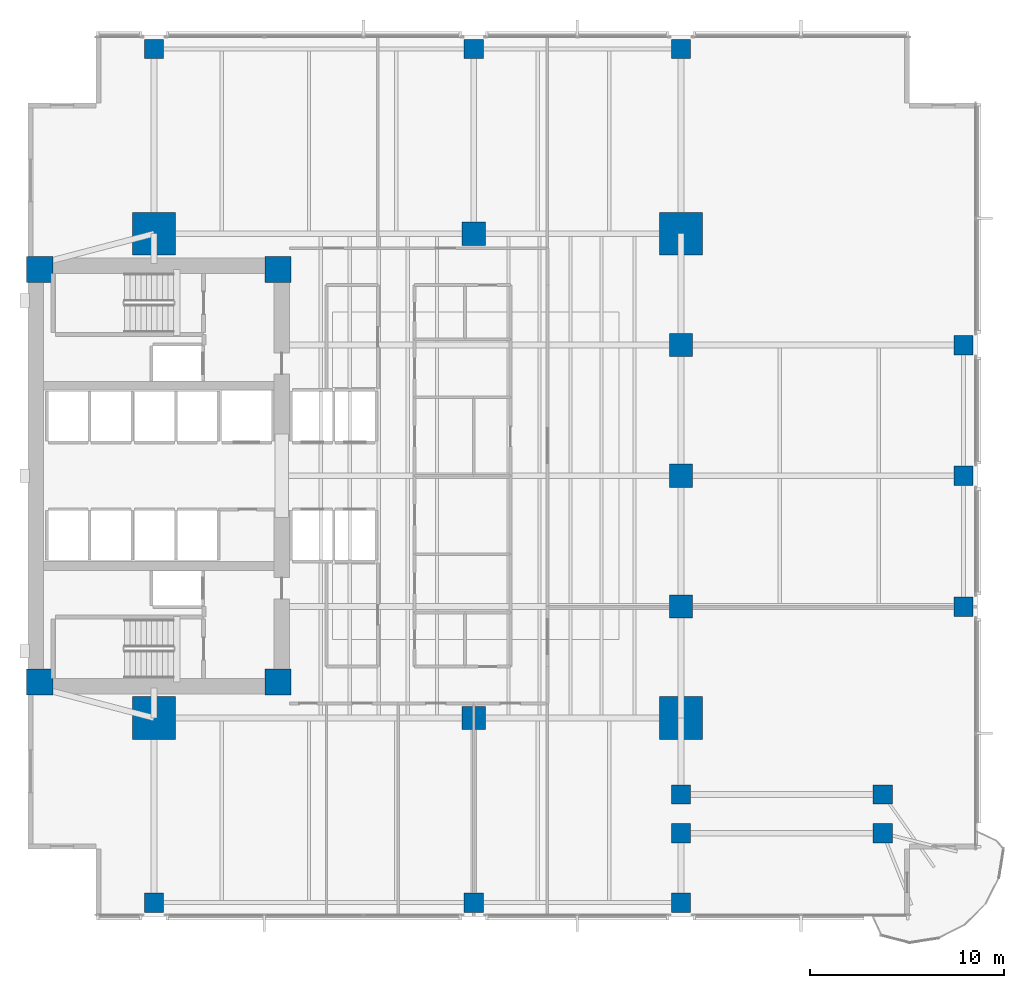
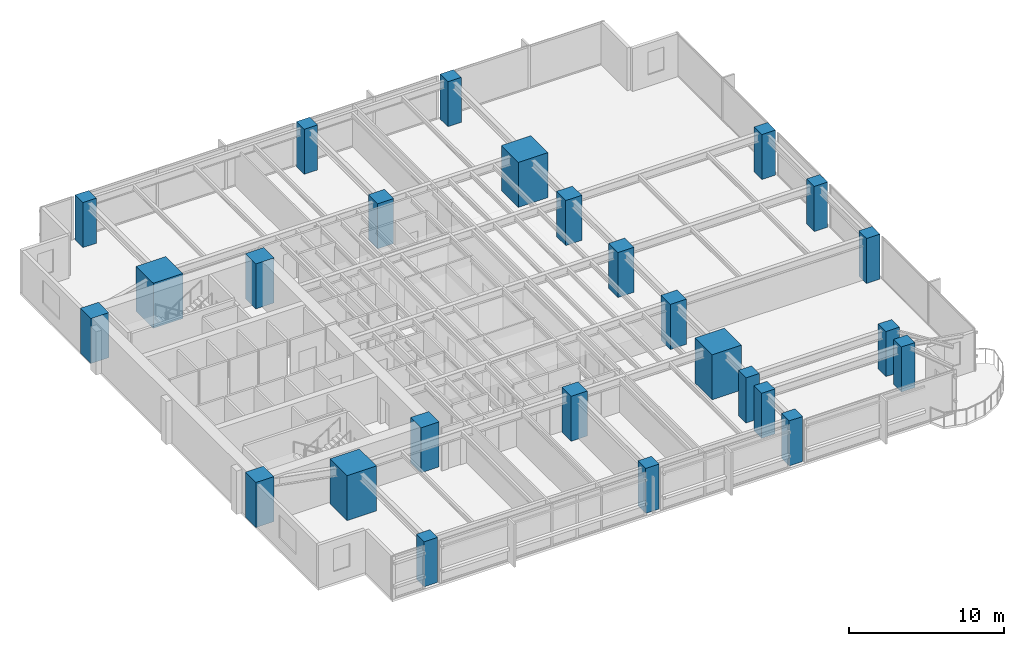
# One storey, part 1 of 15: 26 columns.
"""IFC4 building model written with IfcOpenShell, lengths in metres."""

import ifcopenshell
import ifcopenshell.guid

model = None  # the IFC model being written
_history = None  # IfcOwnerHistory: only IFC2X3 demands one
_inside = {}  # id of a spatial element -> (the spatial element, [elements in it])
_under = {}  # id of a project, library or spatial element -> (it, [spatial elements below it])
_declared = {}  # id of a project -> (the project, [libraries it declares])
_typed = {}  # id of a type object -> (the type object, [elements of that type])
_made_of = {}  # id of a material, layer set ... -> (it, [elements and type objects made of it])


def new_model(schema):
    """Start an empty IFC model of exactly this schema.

    Asked for "IFC4X3", IfcOpenShell would pick the latest addendum, in which some entities
    have other attributes; the version numbers below select the first issue.
    IFC2X3 requires an IfcOwnerHistory on every rooted entity: one is made here for all.
    """
    global model, _history
    if schema == "IFC4X3":
        model = ifcopenshell.file(schema_version=(4, 3, 0, 0))
    else:
        model = ifcopenshell.file(schema=schema)
    _inside.clear()
    _under.clear()
    _declared.clear()
    _typed.clear()
    _made_of.clear()
    _history = None
    if model.schema == "IFC2X3":
        org = make("IfcOrganization", Name="unknown")
        user = make(
            "IfcPersonAndOrganization",
            ThePerson=make("IfcPerson", FamilyName="unknown"),
            TheOrganization=org,
        )
        app = make(
            "IfcApplication",
            ApplicationDeveloper=org,
            Version="unknown",
            ApplicationFullName="unknown",
            ApplicationIdentifier="unknown",
        )
        _history = make(
            "IfcOwnerHistory",
            OwningUser=user,
            OwningApplication=app,
            ChangeAction="ADDED",
            CreationDate=0,
        )
    return model


def make(cls, **values):
    """One entity of the class cls with the attributes given. An attribute that is None is left unset."""
    return model.create_entity(
        cls, **{name: value for name, value in values.items() if value is not None}
    )


def rooted(cls, **values):
    """An entity with a GlobalId (a new one), such as an element, a storey or a relation."""
    return make(cls, GlobalId=ifcopenshell.guid.new(), OwnerHistory=_history, **values)


def si_unit(unit_type, name, prefix=None):
    """IfcSIUnit, for example si_unit("LENGTHUNIT", "METRE", prefix="MILLI")."""
    return make("IfcSIUnit", UnitType=unit_type, Prefix=prefix, Name=name)


def assignment(units):
    """IfcUnitAssignment: the units of a project."""
    return None if units is None else make("IfcUnitAssignment", Units=units)


def point(xyz):
    """IfcCartesianPoint."""
    return None if xyz is None else make("IfcCartesianPoint", Coordinates=xyz)


def direction(xyz):
    """IfcDirection."""
    return None if xyz is None else make("IfcDirection", DirectionRatios=xyz)


def frame(location, z_axis=None, x_axis=None):
    """IfcAxis2Placement3D, a coordinate frame: its origin and axes. An axis left out is left unset."""
    return make(
        "IfcAxis2Placement3D",
        Location=point(location),
        Axis=direction(z_axis),
        RefDirection=direction(x_axis),
    )


def frame_2d(location, x_axis=None):
    """IfcAxis2Placement2D, a coordinate frame in the plane: its origin and x axis."""
    return make(
        "IfcAxis2Placement2D", Location=point(location), RefDirection=direction(x_axis)
    )


def origin():
    """The frame at (0, 0, 0) with its axes left unset."""
    return frame((0.0, 0.0, 0.0))


def origin_2d():
    """The frame at (0, 0) in the plane with its x axis left unset."""
    return frame_2d((0.0, 0.0))


def place(relative_to, where):
    """IfcLocalPlacement: puts the frame where relative to a parent placement (None: the world)."""
    return make(
        "IfcLocalPlacement", PlacementRelTo=relative_to, RelativePlacement=where
    )


def context(
    kind, dimensions, precision=None, world=None, true_north=None, identifier=None
):
    """IfcGeometricRepresentationContext, for example the 3D "Model" context."""
    return make(
        "IfcGeometricRepresentationContext",
        ContextIdentifier=identifier,
        ContextType=kind,
        CoordinateSpaceDimension=dimensions,
        Precision=precision,
        WorldCoordinateSystem=world,
        TrueNorth=true_north,
    )


def subcontext(parent, identifier, kind, view, scale=None):
    """IfcGeometricRepresentationSubContext, for example "Body" below "Model"."""
    return make(
        "IfcGeometricRepresentationSubContext",
        ContextIdentifier=identifier,
        ContextType=kind,
        ParentContext=parent,
        TargetScale=scale,
        TargetView=view,
    )


def project(units=None, contexts=None):
    """IfcProject with its units and contexts."""
    return rooted(
        "IfcProject",
        Name="project",
        RepresentationContexts=contexts,
        UnitsInContext=assignment(units),
    )


def spatial(cls, under=None, at=None, **own):
    """A site, building, storey or space (cls), placed at a placement, below another one or the project."""
    s = rooted(cls, ObjectPlacement=at, **own)
    if under is not None:
        _under.setdefault(under.id(), (under, []))[1].append(s)
    return s


def profile(cls, at=None, kind="AREA", **sizes):
    """A parametric profile (cls). Its sizes go by their IFC names, for example OverallWidth=200.0."""
    return make(cls, ProfileType=kind, Position=at, **sizes)


def rectangle(**sizes):
    """IfcRectangleProfileDef."""
    return profile("IfcRectangleProfileDef", **sizes)


def extrude(swept, where, along, depth):
    """IfcExtrudedAreaSolid: the profile swept, set in the frame where, extruded along a direction by depth."""
    return make(
        "IfcExtrudedAreaSolid",
        SweptArea=swept,
        Position=where,
        ExtrudedDirection=direction(along),
        Depth=depth,
    )


def shape(context_of_items, identifier, shape_type, items):
    """IfcShapeRepresentation: the items that make up one representation, for example the "Body"."""
    return make(
        "IfcShapeRepresentation",
        ContextOfItems=context_of_items,
        RepresentationIdentifier=identifier,
        RepresentationType=shape_type,
        Items=items,
    )


def material(Name=None, Category=None):
    """IfcMaterial."""
    return make("IfcMaterial", Name=Name, Category=Category)


def material_profile(
    of_material, cross_section, Name=None, Category=None, Priority=None
):
    """IfcMaterialProfile: a cross section and its material."""
    return make(
        "IfcMaterialProfile",
        Name=Name,
        Material=of_material,
        Profile=cross_section,
        Priority=Priority,
        Category=Category,
    )


def profile_set(profiles, Name=None, composite=None):
    """IfcMaterialProfileSet."""
    return make(
        "IfcMaterialProfileSet",
        Name=Name,
        MaterialProfiles=profiles,
        CompositeProfile=composite,
    )


def made_of(thing, what):
    """Note that an element or type object is made of a material, layer set ...; save() writes the relation."""
    if what is not None:
        _made_of.setdefault(what.id(), (what, []))[1].append(thing)
    return thing


def type_object(cls, material=None, **own):
    """A type object (cls), such as IfcWallType, which elements share."""
    return made_of(rooted(cls, **own), material)


def element(
    cls,
    number,
    at=None,
    inside=None,
    cuts=None,
    type_object=None,
    material=None,
    context=None,
    identifier="Body",
    shape_type=None,
    held_by="IfcProductDefinitionShape",
    body=None,
    shapes=None,
    **own,
):
    """One element of the class cls, such as IfcWall. Its Tag is "e" and its number.

    at: its placement. inside: the storey or other place that contains it. cuts: it is an
    opening in that element (IfcRelVoidsElement). A single representation is given by context,
    identifier, shape_type and body (its items); several are given by shapes. held_by: the class
    of the entity that holds the representations. save() writes the other relations.
    """
    e = rooted(cls, Tag="e%d" % number, ObjectPlacement=at, **own)
    if body is not None:
        shapes = [shape(context, identifier, shape_type, body)]
    if shapes is not None:
        e.Representation = make(held_by, Representations=shapes)
    if inside is not None:
        _inside.setdefault(inside.id(), (inside, []))[1].append(e)
    if cuts is not None:
        rooted(
            "IfcRelVoidsElement", RelatingBuildingElement=cuts, RelatedOpeningElement=e
        )
    if type_object is not None:
        _typed.setdefault(type_object.id(), (type_object, []))[1].append(e)
    return made_of(e, material)


def aggregate(whole, parts):
    """IfcRelAggregates: a whole, such as a stair, and the parts it consists of."""
    return rooted("IfcRelAggregates", RelatingObject=whole, RelatedObjects=parts)


def save(model, path):
    """Write the relations noted so far, then the file.

    IfcRelAggregates (storeys below a building ...), IfcRelContainedInSpatialStructure (elements
    in a storey), IfcRelDefinesByType, IfcRelAssociatesMaterial and IfcRelDeclares: one each for
    every whole, place, type object, material and project.
    """
    for whole, parts in _under.values():
        aggregate(whole, parts)
    for where, things in _inside.values():
        rooted(
            "IfcRelContainedInSpatialStructure",
            RelatedElements=things,
            RelatingStructure=where,
        )
    for kind, things in _typed.values():
        rooted("IfcRelDefinesByType", RelatedObjects=things, RelatingType=kind)
    for what, things in _made_of.values():
        rooted("IfcRelAssociatesMaterial", RelatedObjects=things, RelatingMaterial=what)
    for by, libraries in _declared.values():
        rooted("IfcRelDeclares", RelatingContext=by, RelatedDefinitions=libraries)
    model.write(path)


model = new_model("IFC4")

# Units and contexts
model_context = context("Model", 3, precision=1e-05, world=origin(), true_north=direction((0.0, 1.0)))
body_context = subcontext(model_context, "Body", "Model", "MODEL_VIEW")
ifc_project = project(units=[si_unit("LENGTHUNIT", "METRE"), si_unit("AREAUNIT", "SQUARE_METRE"), si_unit("VOLUMEUNIT", "CUBIC_METRE"), si_unit("PLANEANGLEUNIT", "RADIAN"), si_unit("MASSUNIT", "GRAM", prefix="KILO")], contexts=[model_context])

# Site, building, storey
site_placement = place(None, origin())
site = spatial("IfcSite", under=ifc_project, at=site_placement, CompositionType="ELEMENT")
building_placement = place(site_placement, origin())
building = spatial("IfcBuilding", under=site, at=building_placement, Name="Kinhvarn Gate Tower", CompositionType="ELEMENT")
storey_placement = place(building_placement, frame((0.0, 0.0, 85.949951171875)))
storey = spatial("IfcBuildingStorey", under=building, at=storey_placement, Name="L22", CompositionType="ELEMENT", Elevation=85.949951171875)

# Columns
ifc_material_1 = material(Name="Concrete C70/85", Category="concrete")
ifc_material_profile_1 = material_profile(ifc_material_1, rectangle(XDim=2.199951171875, YDim=2.199951171875, at=origin_2d()), Name="RC 2200x2200")
ifc_profile_set_1 = profile_set([ifc_material_profile_1], Name="Concrete C70/85")
column_type_1 = type_object("IfcColumnType", Name="COL-MC-2200", PredefinedType="COLUMN", material=ifc_profile_set_1)
for number, where, z_axis, x_axis, name in (
    (1, (11.0, 12.75, 0.0), (0.0, 0.0, 1.0), (1.0, 0.0, 0.0), "Column MC1-L22 (MC-22)"),
    (2, (11.0, 37.75, 0.0), (0.0, 0.0, 1.0), (1.0, 0.0, 0.0), "Column MC4-L22 (MC-22)"),
    (3, (38.199951171875, 12.75, 0.0), (0.0, 0.0, 1.0), (1.0, 0.0, 0.0), "Column MC2-L22 (MC-22)"),
    (4, (38.199951171875, 37.75, 0.0), (0.0, 0.0, 1.0), (1.0, 0.0, 0.0), "Column MC3-L22 (MC-22)"),
):
    element("IfcColumn", number, at=place(storey_placement, frame(where, z_axis=z_axis, x_axis=x_axis)), inside=storey, type_object=column_type_1, Name=name, PredefinedType="COLUMN", context=body_context, shape_type="SweptSolid", body=[
        extrude(rectangle(XDim=2.199951171875, YDim=2.199951171875, at=origin_2d()), origin(), (0.0, 0.0, 1.0), 3.550048828125),
    ])
ifc_material_2 = material(Name="Concrete C60/75", Category="concrete")
ifc_material_profile_2 = material_profile(ifc_material_2, rectangle(XDim=1.0, YDim=1.0, at=origin_2d()), Name="RC 1000x1000")
ifc_profile_set_2 = profile_set([ifc_material_profile_2], Name="Concrete C60/75")
column_type_2 = type_object("IfcColumnType", Name="COL-RC-1000", PredefinedType="COLUMN", material=ifc_profile_set_2)
for number, where, z_axis, x_axis, name in (
    (5, (48.6201171875, 6.800048828125, 0.0), (0.0, 0.0, 1.0), (1.0, 0.0, 0.0), "Column CS-SE1-L22 (C-100)"),
    (6, (38.199951171875, 6.800048828125, 0.0), (0.0, 0.0, 1.0), (1.0, 0.0, 0.0), "Column CS-ANC68-L22 (C-100)"),
    (7, (38.199951171875, 8.800048828125, 0.0), (0.0, 0.0, 1.0), (1.0, 0.0, 0.0), "Column CS-ANC88-L22 (C-100)"),
    (8, (48.6201171875, 8.800048828125, 0.0), (0.0, 0.0, 1.0), (1.0, 0.0, 0.0), "Column CS-SE1B-L22 (C-100)"),
    (9, (52.780029296875, 18.5, 0.0), (0.0, 0.0, 1.0), (1.0, 0.0, 0.0), "Column CE-1-L22 (C-100)"),
    (10, (52.780029296875, 25.25, 0.0), (0.0, 0.0, 1.0), (1.0, 0.0, 0.0), "Column CE-2-L22 (C-100)"),
    (11, (52.780029296875, 32.0, 0.0), (0.0, 0.0, 1.0), (1.0, 0.0, 0.0), "Column CE-3-L22 (C-100)"),
    (12, (11.0, 3.219970703125, 0.0), (0.0, 0.0, 1.0), (1.0, 0.0, 0.0), "Column CS-0-L22 (C-100)"),
    (13, (27.5, 3.219970703125, 0.0), (0.0, 0.0, 1.0), (1.0, 0.0, 0.0), "Column CS-1-L22 (C-100)"),
    (14, (38.199951171875, 3.219970703125, 0.0), (0.0, 0.0, 1.0), (1.0, 0.0, 0.0), "Column CS-2-L22 (C-100)"),
    (15, (11.0, 47.280029296875, 0.0), (0.0, 0.0, 1.0), (1.0, 0.0, 0.0), "Column CN-0-L22 (C-100)"),
    (16, (27.5, 47.280029296875, 0.0), (0.0, 0.0, 1.0), (1.0, 0.0, 0.0), "Column CN-1-L22 (C-100)"),
    (17, (38.199951171875, 47.280029296875, 0.0), (0.0, 0.0, 1.0), (1.0, 0.0, 0.0), "Column CN-2-L22 (C-100)"),
):
    element("IfcColumn", number, at=place(storey_placement, frame(where, z_axis=z_axis, x_axis=x_axis)), inside=storey, type_object=column_type_2, Name=name, PredefinedType="COLUMN", context=body_context, shape_type="SweptSolid", body=[
        extrude(rectangle(XDim=1.0, YDim=1.0, at=origin_2d()), origin(), (0.0, 0.0, 1.0), 3.550048828125),
    ])
ifc_material_profile_3 = material_profile(ifc_material_2, rectangle(XDim=1.199951171875, YDim=1.199951171875, at=origin_2d()), Name="RC 1200x1200")
ifc_profile_set_3 = profile_set([ifc_material_profile_3], Name="Concrete C60/75")
column_type_3 = type_object("IfcColumnType", Name="COL-RC-1200", PredefinedType="COLUMN", material=ifc_profile_set_3)
for number, where, z_axis, x_axis, name in (
    (18, (27.5, 12.75, 0.0), (0.0, 0.0, 1.0), (1.0, 0.0, 0.0), "Column SP27-S-L22 (C-120)"),
    (19, (27.5, 37.75, 0.0), (0.0, 0.0, 1.0), (1.0, 0.0, 0.0), "Column SP27-N-L22 (C-120)"),
    (20, (38.199951171875, 18.5, 0.0), (0.0, 0.0, 1.0), (1.0, 0.0, 0.0), "Column SP38-E1-L22 (C-120)"),
    (21, (38.199951171875, 25.25, 0.0), (0.0, 0.0, 1.0), (1.0, 0.0, 0.0), "Column SP38-E2-L22 (C-120)"),
    (22, (38.199951171875, 32.0, 0.0), (0.0, 0.0, 1.0), (1.0, 0.0, 0.0), "Column SP38-E3-L22 (C-120)"),
):
    element("IfcColumn", number, at=place(storey_placement, frame(where, z_axis=z_axis, x_axis=x_axis)), inside=storey, type_object=column_type_3, Name=name, PredefinedType="COLUMN", context=body_context, shape_type="SweptSolid", body=[
        extrude(rectangle(XDim=1.199951171875, YDim=1.199951171875, at=origin_2d()), origin(), (0.0, 0.0, 1.0), 3.550048828125),
    ])
ifc_material_profile_4 = material_profile(ifc_material_1, rectangle(XDim=1.35009765625, YDim=1.35009765625, at=origin_2d()), Name="RC 1350x1350")
ifc_profile_set_4 = profile_set([ifc_material_profile_4], Name="Concrete C70/85")
column_type_4 = type_object("IfcColumnType", Name="PIL-RC-1350", PredefinedType="PILASTER", material=ifc_profile_set_4)
for number, where, z_axis, x_axis, name in (
    (23, (5.10009765625, 14.60009765625, 0.0), (0.0, 0.0, 1.0), (1.0, 0.0, 0.0), "Column CC-SW-L22 (CP-135)"),
    (24, (5.10009765625, 35.89990234375, 0.0), (0.0, 0.0, 1.0), (1.0, 0.0, 0.0), "Column CC-NW-L22 (CP-135)"),
    (25, (17.39990234375, 14.60009765625, 0.0), (0.0, 0.0, 1.0), (1.0, 0.0, 0.0), "Column CC-SE-L22 (CP-135)"),
    (26, (17.39990234375, 35.89990234375, 0.0), (0.0, 0.0, 1.0), (1.0, 0.0, 0.0), "Column CC-NE-L22 (CP-135)"),
):
    element("IfcColumn", number, at=place(storey_placement, frame(where, z_axis=z_axis, x_axis=x_axis)), inside=storey, type_object=column_type_4, Name=name, PredefinedType="PILASTER", context=body_context, shape_type="SweptSolid", body=[
        extrude(rectangle(XDim=1.35009765625, YDim=1.35009765625, at=origin_2d()), origin(), (0.0, 0.0, 1.0), 3.550048828125),
    ])

save(model, "model.ifc")
